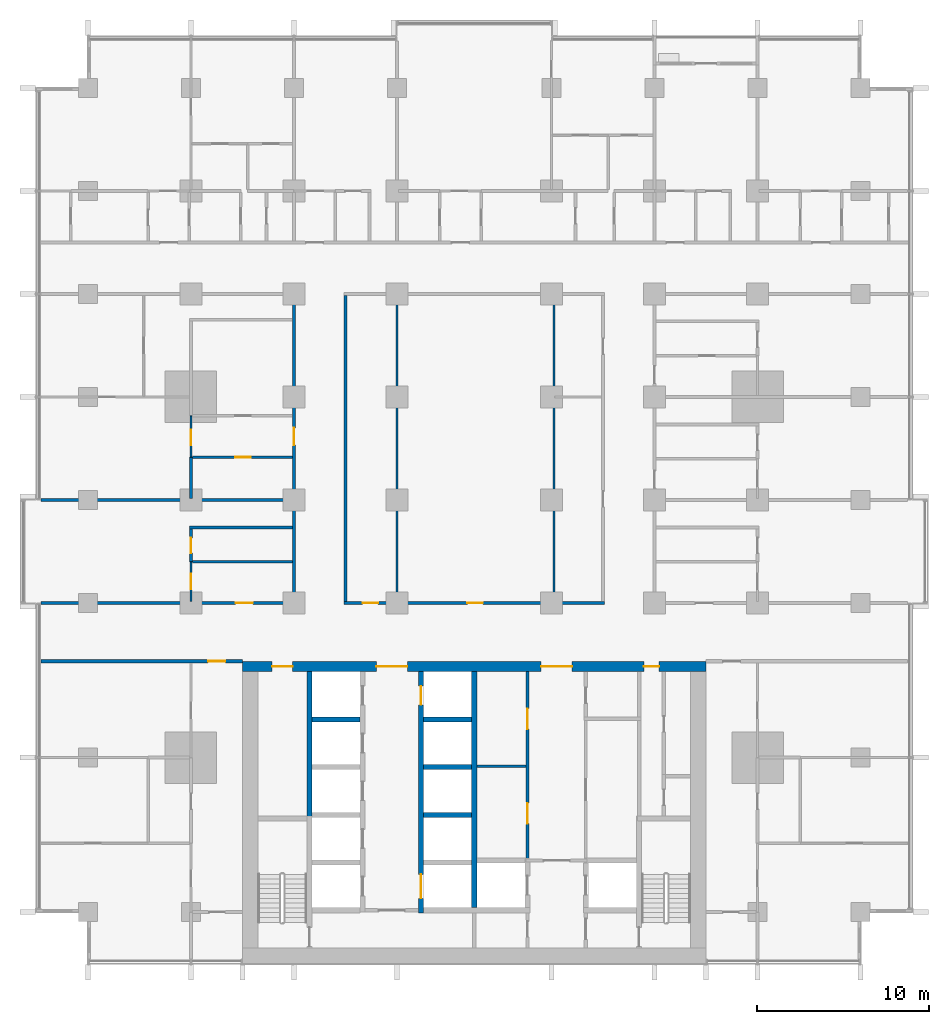
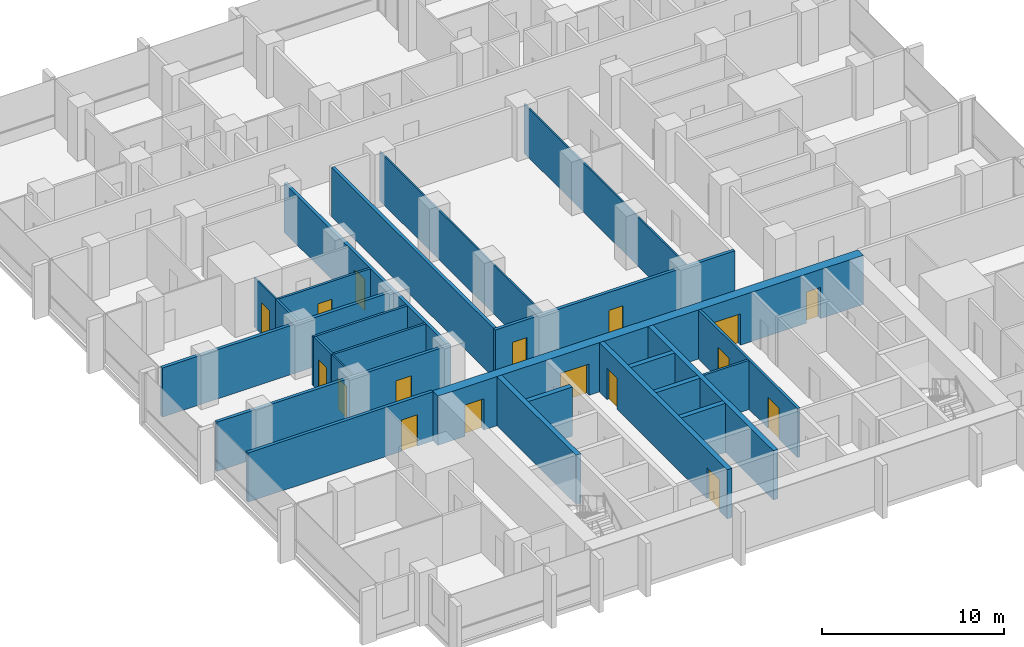
# One storey, part 8 of 18: 25 walls, 17 doors, 17 openings.
"""IFC4 building model written with IfcOpenShell, lengths in metres."""

import ifcopenshell
import ifcopenshell.guid

model = None  # the IFC model being written
_history = None  # IfcOwnerHistory: only IFC2X3 demands one
_inside = {}  # id of a spatial element -> (the spatial element, [elements in it])
_under = {}  # id of a project, library or spatial element -> (it, [spatial elements below it])
_declared = {}  # id of a project -> (the project, [libraries it declares])
_typed = {}  # id of a type object -> (the type object, [elements of that type])
_made_of = {}  # id of a material, layer set ... -> (it, [elements and type objects made of it])


def new_model(schema):
    """Start an empty IFC model of exactly this schema.

    Asked for "IFC4X3", IfcOpenShell would pick the latest addendum, in which some entities
    have other attributes; the version numbers below select the first issue.
    IFC2X3 requires an IfcOwnerHistory on every rooted entity: one is made here for all.
    """
    global model, _history
    if schema == "IFC4X3":
        model = ifcopenshell.file(schema_version=(4, 3, 0, 0))
    else:
        model = ifcopenshell.file(schema=schema)
    _inside.clear()
    _under.clear()
    _declared.clear()
    _typed.clear()
    _made_of.clear()
    _history = None
    if model.schema == "IFC2X3":
        org = make("IfcOrganization", Name="unknown")
        user = make(
            "IfcPersonAndOrganization",
            ThePerson=make("IfcPerson", FamilyName="unknown"),
            TheOrganization=org,
        )
        app = make(
            "IfcApplication",
            ApplicationDeveloper=org,
            Version="unknown",
            ApplicationFullName="unknown",
            ApplicationIdentifier="unknown",
        )
        _history = make(
            "IfcOwnerHistory",
            OwningUser=user,
            OwningApplication=app,
            ChangeAction="ADDED",
            CreationDate=0,
        )
    return model


def make(cls, **values):
    """One entity of the class cls with the attributes given. An attribute that is None is left unset."""
    return model.create_entity(
        cls, **{name: value for name, value in values.items() if value is not None}
    )


def rooted(cls, **values):
    """An entity with a GlobalId (a new one), such as an element, a storey or a relation."""
    return make(cls, GlobalId=ifcopenshell.guid.new(), OwnerHistory=_history, **values)


def si_unit(unit_type, name, prefix=None):
    """IfcSIUnit, for example si_unit("LENGTHUNIT", "METRE", prefix="MILLI")."""
    return make("IfcSIUnit", UnitType=unit_type, Prefix=prefix, Name=name)


def assignment(units):
    """IfcUnitAssignment: the units of a project."""
    return None if units is None else make("IfcUnitAssignment", Units=units)


def point(xyz):
    """IfcCartesianPoint."""
    return None if xyz is None else make("IfcCartesianPoint", Coordinates=xyz)


def direction(xyz):
    """IfcDirection."""
    return None if xyz is None else make("IfcDirection", DirectionRatios=xyz)


def frame(location, z_axis=None, x_axis=None):
    """IfcAxis2Placement3D, a coordinate frame: its origin and axes. An axis left out is left unset."""
    return make(
        "IfcAxis2Placement3D",
        Location=point(location),
        Axis=direction(z_axis),
        RefDirection=direction(x_axis),
    )


def frame_2d(location, x_axis=None):
    """IfcAxis2Placement2D, a coordinate frame in the plane: its origin and x axis."""
    return make(
        "IfcAxis2Placement2D", Location=point(location), RefDirection=direction(x_axis)
    )


def origin():
    """The frame at (0, 0, 0) with its axes left unset."""
    return frame((0.0, 0.0, 0.0))


def place(relative_to, where):
    """IfcLocalPlacement: puts the frame where relative to a parent placement (None: the world)."""
    return make(
        "IfcLocalPlacement", PlacementRelTo=relative_to, RelativePlacement=where
    )


def context(
    kind, dimensions, precision=None, world=None, true_north=None, identifier=None
):
    """IfcGeometricRepresentationContext, for example the 3D "Model" context."""
    return make(
        "IfcGeometricRepresentationContext",
        ContextIdentifier=identifier,
        ContextType=kind,
        CoordinateSpaceDimension=dimensions,
        Precision=precision,
        WorldCoordinateSystem=world,
        TrueNorth=true_north,
    )


def subcontext(parent, identifier, kind, view, scale=None):
    """IfcGeometricRepresentationSubContext, for example "Body" below "Model"."""
    return make(
        "IfcGeometricRepresentationSubContext",
        ContextIdentifier=identifier,
        ContextType=kind,
        ParentContext=parent,
        TargetScale=scale,
        TargetView=view,
    )


def project(units=None, contexts=None):
    """IfcProject with its units and contexts."""
    return rooted(
        "IfcProject",
        Name="project",
        RepresentationContexts=contexts,
        UnitsInContext=assignment(units),
    )


def spatial(cls, under=None, at=None, **own):
    """A site, building, storey or space (cls), placed at a placement, below another one or the project."""
    s = rooted(cls, ObjectPlacement=at, **own)
    if under is not None:
        _under.setdefault(under.id(), (under, []))[1].append(s)
    return s


def profile(cls, at=None, kind="AREA", **sizes):
    """A parametric profile (cls). Its sizes go by their IFC names, for example OverallWidth=200.0."""
    return make(cls, ProfileType=kind, Position=at, **sizes)


def rectangle(**sizes):
    """IfcRectangleProfileDef."""
    return profile("IfcRectangleProfileDef", **sizes)


def extrude(swept, where, along, depth):
    """IfcExtrudedAreaSolid: the profile swept, set in the frame where, extruded along a direction by depth."""
    return make(
        "IfcExtrudedAreaSolid",
        SweptArea=swept,
        Position=where,
        ExtrudedDirection=direction(along),
        Depth=depth,
    )


def shape(context_of_items, identifier, shape_type, items):
    """IfcShapeRepresentation: the items that make up one representation, for example the "Body"."""
    return make(
        "IfcShapeRepresentation",
        ContextOfItems=context_of_items,
        RepresentationIdentifier=identifier,
        RepresentationType=shape_type,
        Items=items,
    )


def material(Name=None, Category=None):
    """IfcMaterial."""
    return make("IfcMaterial", Name=Name, Category=Category)


def layer(
    of_material, thickness, ventilated=None, Name=None, Category=None, Priority=None
):
    """IfcMaterialLayer: one layer of a wall or slab, of a material (None: an air gap)."""
    return make(
        "IfcMaterialLayer",
        Material=of_material,
        LayerThickness=thickness,
        IsVentilated=ventilated,
        Name=Name,
        Category=Category,
        Priority=Priority,
    )


def layer_set(layers, Name=None):
    """IfcMaterialLayerSet."""
    return make("IfcMaterialLayerSet", MaterialLayers=layers, LayerSetName=Name)


def made_of(thing, what):
    """Note that an element or type object is made of a material, layer set ...; save() writes the relation."""
    if what is not None:
        _made_of.setdefault(what.id(), (what, []))[1].append(thing)
    return thing


def type_object(cls, material=None, **own):
    """A type object (cls), such as IfcWallType, which elements share."""
    return made_of(rooted(cls, **own), material)


def element(
    cls,
    number,
    at=None,
    inside=None,
    cuts=None,
    type_object=None,
    material=None,
    context=None,
    identifier="Body",
    shape_type=None,
    held_by="IfcProductDefinitionShape",
    body=None,
    shapes=None,
    **own,
):
    """One element of the class cls, such as IfcWall. Its Tag is "e" and its number.

    at: its placement. inside: the storey or other place that contains it. cuts: it is an
    opening in that element (IfcRelVoidsElement). A single representation is given by context,
    identifier, shape_type and body (its items); several are given by shapes. held_by: the class
    of the entity that holds the representations. save() writes the other relations.
    """
    e = rooted(cls, Tag="e%d" % number, ObjectPlacement=at, **own)
    if body is not None:
        shapes = [shape(context, identifier, shape_type, body)]
    if shapes is not None:
        e.Representation = make(held_by, Representations=shapes)
    if inside is not None:
        _inside.setdefault(inside.id(), (inside, []))[1].append(e)
    if cuts is not None:
        rooted(
            "IfcRelVoidsElement", RelatingBuildingElement=cuts, RelatedOpeningElement=e
        )
    if type_object is not None:
        _typed.setdefault(type_object.id(), (type_object, []))[1].append(e)
    return made_of(e, material)


def fill(opening, filler):
    """IfcRelFillsElement: the door or window that sits in an opening."""
    return rooted(
        "IfcRelFillsElement",
        RelatingOpeningElement=opening,
        RelatedBuildingElement=filler,
    )


def aggregate(whole, parts):
    """IfcRelAggregates: a whole, such as a stair, and the parts it consists of."""
    return rooted("IfcRelAggregates", RelatingObject=whole, RelatedObjects=parts)


def save(model, path):
    """Write the relations noted so far, then the file.

    IfcRelAggregates (storeys below a building ...), IfcRelContainedInSpatialStructure (elements
    in a storey), IfcRelDefinesByType, IfcRelAssociatesMaterial and IfcRelDeclares: one each for
    every whole, place, type object, material and project.
    """
    for whole, parts in _under.values():
        aggregate(whole, parts)
    for where, things in _inside.values():
        rooted(
            "IfcRelContainedInSpatialStructure",
            RelatedElements=things,
            RelatingStructure=where,
        )
    for kind, things in _typed.values():
        rooted("IfcRelDefinesByType", RelatedObjects=things, RelatingType=kind)
    for what, things in _made_of.values():
        rooted("IfcRelAssociatesMaterial", RelatedObjects=things, RelatingMaterial=what)
    for by, libraries in _declared.values():
        rooted("IfcRelDeclares", RelatingContext=by, RelatedDefinitions=libraries)
    model.write(path)


model = new_model("IFC4")

# Units and contexts
model_context = context("Model", 3, precision=1e-05, world=origin(), true_north=direction((0.0, 1.0)))
body_context = subcontext(model_context, "Body", "Model", "MODEL_VIEW")
ifc_project = project(units=[si_unit("LENGTHUNIT", "METRE"), si_unit("AREAUNIT", "SQUARE_METRE"), si_unit("VOLUMEUNIT", "CUBIC_METRE"), si_unit("PLANEANGLEUNIT", "RADIAN"), si_unit("MASSUNIT", "GRAM", prefix="KILO")], contexts=[model_context])

# Site, building, storey
site_placement = place(None, origin())
site = spatial("IfcSite", under=ifc_project, at=site_placement, CompositionType="ELEMENT")
building_placement = place(site_placement, origin())
building = spatial("IfcBuilding", under=site, at=building_placement, Name="Finial Court Residences", CompositionType="ELEMENT")
storey_placement = place(building_placement, frame((0.0, 0.0, 57.699951171875)))
storey = spatial("IfcBuildingStorey", under=building, at=storey_placement, Name="L13", CompositionType="ELEMENT", Elevation=57.699951171875)

# Wall
ifc_material_1 = material(Name="Gypsum board")
ifc_layer_1 = layer(ifc_material_1, 0.02490234375)
ifc_material_2 = material(Name="Acoustic mineral wool in double frame")
ifc_layer_2 = layer(ifc_material_2, 0.14990234375)
ifc_layer_3 = layer(ifc_material_1, 0.02490234375)
ifc_layer_set_1 = layer_set([ifc_layer_1, ifc_layer_2, ifc_layer_3], Name="Acoustic party wall 200, 1 hour")
wall_type_1 = type_object("IfcWallType", Name="Acoustic party wall 200, 1 hour", PredefinedType="PARTITIONING", material=ifc_layer_set_1)
wall_1_placement = place(storey_placement, frame((-25.25, 1.5, 0.0), z_axis=(0.0, 0.0, 1.0), x_axis=(1.0, 0.0, 0.0)))
element("IfcWall", 1, at=wall_1_placement, inside=storey, type_object=wall_type_1, Name="Partition L13-019", PredefinedType="PARTITIONING", context=body_context, shape_type="SweptSolid", body=[
    extrude(rectangle(XDim=14.64990234375, YDim=0.199951171875, at=frame_2d((7.324951171875, 0.0))), origin(), (0.0, 0.0, 1.0), 3.300048828125),
])

# Wall, openings, doors
ifc_material_3 = material(Name="Concrete C80/95", Category="concrete")
ifc_layer_4 = layer(ifc_material_3, 0.60009765625)
ifc_layer_set_2 = layer_set([ifc_layer_4], Name="Core outer wall 600 Concrete C80/95")
wall_type_2 = type_object("IfcWallType", Name="Core outer wall 600 Concrete C80/95", PredefinedType="SHEAR", material=ifc_layer_set_2)
wall_2_placement = place(storey_placement, frame((-13.5, -8.199951171875, 0.0), z_axis=(0.0, 0.0, 1.0), x_axis=(1.0, 0.0, 0.0)))
wall_2 = element("IfcWall", 2, at=wall_2_placement, inside=storey, type_object=wall_type_2, Name="Core outer wall L13-02", PredefinedType="SHEAR", context=body_context, shape_type="SweptSolid", body=[
    extrude(rectangle(XDim=27.0, YDim=0.60009765625, at=frame_2d((13.5, 0.0))), origin(), (0.0, 0.0, 1.0), 3.300048828125),
])
opening_1_placement = place(wall_2_placement, frame((7.800048828125, 0.0, 0.0)))
opening_1 = element("IfcOpeningElement", 3, at=opening_1_placement, cuts=wall_2, Name="Opening L13-C04", PredefinedType="OPENING", context=body_context, shape_type="SweptSolid", body=[
    extrude(rectangle(XDim=1.800048828125, YDim=2.10009765625, at=frame_2d((0.89990234375, 1.050048828125))), frame((0.0, 0.31005859375, 0.0), z_axis=(0.0, -1.0, 0.0), x_axis=(1.0, 0.0, 0.0)), (0.0, 0.0, 1.0), 0.6201171875),
])
opening_2_placement = place(wall_2_placement, frame((17.39990234375, 0.0, 0.0)))
opening_2 = element("IfcOpeningElement", 4, at=opening_2_placement, cuts=wall_2, Name="Opening L13-C05", PredefinedType="OPENING", context=body_context, shape_type="SweptSolid", body=[
    extrude(rectangle(XDim=1.800048828125, YDim=2.10009765625, at=frame_2d((0.89990234375, 1.050048828125))), frame((0.0, 0.31005859375, 0.0), z_axis=(0.0, -1.0, 0.0), x_axis=(1.0, 0.0, 0.0)), (0.0, 0.0, 1.0), 0.6201171875),
])
opening_3_placement = place(wall_2_placement, frame((1.72509765625, 0.0, 0.0)))
opening_3 = element("IfcOpeningElement", 5, at=opening_3_placement, cuts=wall_2, Name="Opening L13-C09", PredefinedType="OPENING", context=body_context, shape_type="SweptSolid", body=[
    extrude(rectangle(XDim=1.199951171875, YDim=2.10009765625, at=frame_2d((0.60009765625, 1.050048828125))), frame((0.0, 0.31005859375, 0.0), z_axis=(0.0, -1.0, 0.0), x_axis=(1.0, 0.0, 0.0)), (0.0, 0.0, 1.0), 0.6201171875),
])
opening_4_placement = place(wall_2_placement, frame((23.375, 0.0, 0.0)))
opening_4 = element("IfcOpeningElement", 6, at=opening_4_placement, cuts=wall_2, Name="Opening L13-C10", PredefinedType="OPENING", context=body_context, shape_type="SweptSolid", body=[
    extrude(rectangle(XDim=0.89990234375, YDim=2.10009765625, at=frame_2d((0.449951171875, 1.050048828125))), frame((0.0, 0.31005859375, 0.0), z_axis=(0.0, -1.0, 0.0), x_axis=(1.0, 0.0, 0.0)), (0.0, 0.0, 1.0), 0.6201171875),
])
ifc_material_4 = material(Name="Steel fire door", Category="steel")
door_type_1 = type_object("IfcDoorType", Name="Lift lobby door 1800 x 2100 EI 60", OperationType="DOUBLE_DOOR_SINGLE_SWING", PredefinedType="DOOR", material=ifc_material_4)
door_1_placement = place(opening_1_placement, origin())
door_1 = element("IfcDoor", 7, at=door_1_placement, inside=storey, type_object=door_type_1, Name="Lift lobby door L13-C04", OperationType="DOUBLE_DOOR_SINGLE_SWING", OverallHeight=2.10009765625, OverallWidth=1.800048828125, PredefinedType="DOOR", context=body_context, shape_type="SweptSolid", body=[
    extrude(rectangle(XDim=1.800048828125, YDim=2.10009765625, at=frame_2d((0.89990234375, 1.050048828125))), frame((0.0, 0.02490234375, 0.0), z_axis=(0.0, -1.0, 0.0), x_axis=(1.0, 0.0, 0.0)), (0.0, 0.0, 1.0), 0.050048828125),
])
fill(opening_1, door_1)
door_2_placement = place(opening_2_placement, origin())
door_2 = element("IfcDoor", 8, at=door_2_placement, inside=storey, type_object=door_type_1, Name="Lift lobby door L13-C05", OperationType="DOUBLE_DOOR_SINGLE_SWING", OverallHeight=2.10009765625, OverallWidth=1.800048828125, PredefinedType="DOOR", context=body_context, shape_type="SweptSolid", body=[
    extrude(rectangle(XDim=1.800048828125, YDim=2.10009765625, at=frame_2d((0.89990234375, 1.050048828125))), frame((0.0, 0.02490234375, 0.0), z_axis=(0.0, -1.0, 0.0), x_axis=(1.0, 0.0, 0.0)), (0.0, 0.0, 1.0), 0.050048828125),
])
fill(opening_2, door_2)
door_type_2 = type_object("IfcDoorType", Name="Riser room door 1200 x 2100 EI 90", OperationType="NOTDEFINED", PredefinedType="DOOR", material=ifc_material_4)
door_3_placement = place(opening_3_placement, origin())
door_3 = element("IfcDoor", 9, at=door_3_placement, inside=storey, type_object=door_type_2, Name="Riser room door L13-C09", OperationType="SINGLE_SWING_LEFT", OverallHeight=2.10009765625, OverallWidth=1.199951171875, PredefinedType="DOOR", context=body_context, shape_type="SweptSolid", body=[
    extrude(rectangle(XDim=1.199951171875, YDim=2.10009765625, at=frame_2d((0.60009765625, 1.050048828125))), frame((0.0, 0.02490234375, 0.0), z_axis=(0.0, -1.0, 0.0), x_axis=(1.0, 0.0, 0.0)), (0.0, 0.0, 1.0), 0.050048828125),
])
fill(opening_3, door_3)
door_type_3 = type_object("IfcDoorType", Name="Riser room door 900 x 2100 EI 90", OperationType="NOTDEFINED", PredefinedType="DOOR", material=ifc_material_4)
door_4_placement = place(opening_4_placement, origin())
door_4 = element("IfcDoor", 10, at=door_4_placement, inside=storey, type_object=door_type_3, Name="Riser room door L13-C10", OperationType="SINGLE_SWING_LEFT", OverallHeight=2.10009765625, OverallWidth=0.89990234375, PredefinedType="DOOR", context=body_context, shape_type="SweptSolid", body=[
    extrude(rectangle(XDim=0.89990234375, YDim=2.10009765625, at=frame_2d((0.449951171875, 1.050048828125))), frame((0.0, 0.02490234375, 0.0), z_axis=(0.0, -1.0, 0.0), x_axis=(1.0, 0.0, 0.0)), (0.0, 0.0, 1.0), 0.050048828125),
])
fill(opening_4, door_4)

# Wall
ifc_material_5 = material(Name="Fire-rated gypsum board partition")
ifc_layer_5 = layer(ifc_material_5, 0.14990234375)
ifc_layer_set_3 = layer_set([ifc_layer_5], Name="Core room partition 150 EI 60")
wall_type_3 = type_object("IfcWallType", Name="Core room partition 150 EI 60", PredefinedType="PARTITIONING", material=ifc_layer_set_3)
wall_3_placement = place(storey_placement, frame((0.14990234375, -14.0, 0.0), z_axis=(0.0, 0.0, 1.0), x_axis=(1.0, 0.0, 0.0)))
element("IfcWall", 11, at=wall_3_placement, inside=storey, type_object=wall_type_3, Name="Core partition L13-17", PredefinedType="PARTITIONING", context=body_context, shape_type="SweptSolid", body=[
    extrude(rectangle(XDim=2.875, YDim=0.14990234375, at=frame_2d((1.4375, 0.0))), origin(), (0.0, 0.0, 1.0), 3.300048828125),
])

# Wall, openings, doors
wall_4_placement = place(storey_placement, frame((3.10009765625, -19.39990234375, 0.0), z_axis=(0.0, 0.0, 1.0), x_axis=(0.0, 1.0, 0.0)))
wall_4 = element("IfcWall", 12, at=wall_4_placement, inside=storey, type_object=wall_type_3, Name="Core partition L13-29", PredefinedType="PARTITIONING", context=body_context, shape_type="SweptSolid", body=[
    extrude(rectangle(XDim=10.89990234375, YDim=0.14990234375, at=frame_2d((5.449951171875, 0.0))), origin(), (0.0, 0.0, 1.0), 3.300048828125),
])
opening_5_placement = place(wall_4_placement, frame((2.050048828125, 0.0, 0.0)))
opening_5 = element("IfcOpeningElement", 13, at=opening_5_placement, cuts=wall_4, Name="Opening L13-C12", PredefinedType="OPENING", context=body_context, shape_type="SweptSolid", body=[
    extrude(rectangle(XDim=1.199951171875, YDim=2.10009765625, at=frame_2d((0.60009765625, 1.050048828125))), frame((0.0, 0.0849609375, 0.0), z_axis=(0.0, -1.0, 0.0), x_axis=(1.0, 0.0, 0.0)), (0.0, 0.0, 1.0), 0.169921875),
])
opening_6_placement = place(wall_4_placement, frame((7.550048828125, 0.0, 0.0)))
opening_6 = element("IfcOpeningElement", 14, at=opening_6_placement, cuts=wall_4, Name="Opening L13-C13", PredefinedType="OPENING", context=body_context, shape_type="SweptSolid", body=[
    extrude(rectangle(XDim=1.199951171875, YDim=2.10009765625, at=frame_2d((0.60009765625, 1.050048828125))), frame((0.0, 0.0849609375, 0.0), z_axis=(0.0, -1.0, 0.0), x_axis=(1.0, 0.0, 0.0)), (0.0, 0.0, 1.0), 0.169921875),
])
door_type_4 = type_object("IfcDoorType", Name="Core room door 1200 x 2100 EI 60", OperationType="NOTDEFINED", PredefinedType="DOOR", material=ifc_material_4)
door_5_placement = place(opening_5_placement, origin())
door_5 = element("IfcDoor", 15, at=door_5_placement, inside=storey, type_object=door_type_4, Name="Core room door L13-C12", OperationType="SINGLE_SWING_LEFT", OverallHeight=2.10009765625, OverallWidth=1.199951171875, PredefinedType="DOOR", context=body_context, shape_type="SweptSolid", body=[
    extrude(rectangle(XDim=1.199951171875, YDim=2.10009765625, at=frame_2d((0.60009765625, 1.050048828125))), frame((0.0, 0.02490234375, 0.0), z_axis=(0.0, -1.0, 0.0), x_axis=(1.0, 0.0, 0.0)), (0.0, 0.0, 1.0), 0.050048828125),
])
fill(opening_5, door_5)
door_6_placement = place(opening_6_placement, origin())
door_6 = element("IfcDoor", 16, at=door_6_placement, inside=storey, type_object=door_type_4, Name="Core room door L13-C13", OperationType="SINGLE_SWING_LEFT", OverallHeight=2.10009765625, OverallWidth=1.199951171875, PredefinedType="DOOR", context=body_context, shape_type="SweptSolid", body=[
    extrude(rectangle(XDim=1.199951171875, YDim=2.10009765625, at=frame_2d((0.60009765625, 1.050048828125))), frame((0.0, 0.02490234375, 0.0), z_axis=(0.0, -1.0, 0.0), x_axis=(1.0, 0.0, 0.0)), (0.0, 0.0, 1.0), 0.050048828125),
])
fill(opening_6, door_6)

# Wall, opening, door
ifc_layer_6 = layer(ifc_material_1, 0.02490234375)
ifc_layer_7 = layer(ifc_material_2, 0.14990234375)
ifc_layer_8 = layer(ifc_material_1, 0.02490234375)
ifc_layer_set_4 = layer_set([ifc_layer_6, ifc_layer_7, ifc_layer_8], Name="Corridor wall 200, 1 hour")
wall_type_4 = type_object("IfcWallType", Name="Corridor wall 200, 1 hour", PredefinedType="PARTITIONING", material=ifc_layer_set_4)
wall_5_placement = place(storey_placement, frame((-25.25, -7.89990234375, 0.0), z_axis=(0.0, 0.0, 1.0), x_axis=(1.0, 0.0, 0.0)))
wall_5 = element("IfcWall", 17, at=wall_5_placement, inside=storey, type_object=wall_type_4, Name="Partition L13-010", PredefinedType="PARTITIONING", context=body_context, shape_type="SweptSolid", body=[
    extrude(rectangle(XDim=11.75, YDim=0.199951171875, at=frame_2d((5.875, 0.0))), origin(), (0.0, 0.0, 1.0), 3.300048828125),
])
opening_7_placement = place(wall_5_placement, frame((9.75, 0.0, 0.0)))
opening_7 = element("IfcOpeningElement", 18, at=opening_7_placement, cuts=wall_5, Name="Opening L13-D005", PredefinedType="OPENING", context=body_context, shape_type="SweptSolid", body=[
    extrude(rectangle(XDim=1.0, YDim=2.10009765625, at=frame_2d((0.5, 1.050048828125))), frame((0.0, 0.10986328125, 0.0), z_axis=(0.0, -1.0, 0.0), x_axis=(1.0, 0.0, 0.0)), (0.0, 0.0, 1.0), 0.219970703125),
])
ifc_material_6 = material(Name="Timber door leaf in hollow metal frame", Category="wood")
door_type_5 = type_object("IfcDoorType", Name="Fire door set 1000 x 2100, 30 minutes", OperationType="SINGLE_SWING_LEFT", PredefinedType="DOOR", material=ifc_material_6)
door_7_placement = place(opening_7_placement, origin())
door_7 = element("IfcDoor", 19, at=door_7_placement, inside=storey, type_object=door_type_5, Name="Door L13-D005", OperationType="SINGLE_SWING_RIGHT", OverallHeight=2.10009765625, OverallWidth=1.0, PredefinedType="DOOR", context=body_context, shape_type="SweptSolid", body=[
    extrude(rectangle(XDim=1.0, YDim=2.10009765625, at=frame_2d((0.5, 1.050048828125))), frame((0.0, 0.02490234375, 0.0), z_axis=(0.0, -1.0, 0.0), x_axis=(1.0, 0.0, 0.0)), (0.0, 0.0, 1.0), 0.050048828125),
])
fill(opening_7, door_7)

wall_6_placement = place(storey_placement, frame((-25.25, -4.5, 0.0), z_axis=(0.0, 0.0, 1.0), x_axis=(1.0, 0.0, 0.0)))
wall_6 = element("IfcWall", 20, at=wall_6_placement, inside=storey, type_object=wall_type_4, Name="Partition L13-012", PredefinedType="PARTITIONING", context=body_context, shape_type="SweptSolid", body=[
    extrude(rectangle(XDim=14.85009765625, YDim=0.199951171875, at=frame_2d((7.425048828125, 0.0))), origin(), (0.0, 0.0, 1.0), 3.300048828125),
])
opening_8_placement = place(wall_6_placement, frame((11.35009765625, 0.0, 0.0)))
opening_8 = element("IfcOpeningElement", 21, at=opening_8_placement, cuts=wall_6, Name="Opening L13-D007", PredefinedType="OPENING", context=body_context, shape_type="SweptSolid", body=[
    extrude(rectangle(XDim=1.0, YDim=2.10009765625, at=frame_2d((0.5, 1.050048828125))), frame((0.0, 0.10986328125, 0.0), z_axis=(0.0, -1.0, 0.0), x_axis=(1.0, 0.0, 0.0)), (0.0, 0.0, 1.0), 0.219970703125),
])
door_8_placement = place(opening_8_placement, origin())
door_8 = element("IfcDoor", 22, at=door_8_placement, inside=storey, type_object=door_type_5, Name="Door L13-D007", OperationType="SINGLE_SWING_LEFT", OverallHeight=2.10009765625, OverallWidth=1.0, PredefinedType="DOOR", context=body_context, shape_type="SweptSolid", body=[
    extrude(rectangle(XDim=1.0, YDim=2.10009765625, at=frame_2d((0.5, 1.050048828125))), frame((0.0, 0.02490234375, 0.0), z_axis=(0.0, -1.0, 0.0), x_axis=(1.0, 0.0, 0.0)), (0.0, 0.0, 1.0), 0.050048828125),
])
fill(opening_8, door_8)

# Wall, openings, doors
wall_7_placement = place(storey_placement, frame((-7.60009765625, -4.5, 0.0), z_axis=(0.0, 0.0, 1.0), x_axis=(1.0, 0.0, 0.0)))
wall_7 = element("IfcWall", 23, at=wall_7_placement, inside=storey, type_object=wall_type_4, Name="Partition L13-013", PredefinedType="PARTITIONING", context=body_context, shape_type="SweptSolid", body=[
    extrude(rectangle(XDim=15.2001953125, YDim=0.199951171875, at=frame_2d((7.60009765625, 0.0))), origin(), (0.0, 0.0, 1.0), 3.300048828125),
])
opening_9_placement = place(wall_7_placement, frame((1.10009765625, 0.0, 0.0)))
opening_9 = element("IfcOpeningElement", 24, at=opening_9_placement, cuts=wall_7, Name="Opening L13-D008", PredefinedType="OPENING", context=body_context, shape_type="SweptSolid", body=[
    extrude(rectangle(XDim=0.89990234375, YDim=2.10009765625, at=frame_2d((0.449951171875, 1.050048828125))), frame((0.0, 0.10986328125, 0.0), z_axis=(0.0, -1.0, 0.0), x_axis=(1.0, 0.0, 0.0)), (0.0, 0.0, 1.0), 0.219970703125),
])
opening_10_placement = place(wall_7_placement, frame((7.199951171875, 0.0, 0.0)))
opening_10 = element("IfcOpeningElement", 25, at=opening_10_placement, cuts=wall_7, Name="Opening L13-D009", PredefinedType="OPENING", context=body_context, shape_type="SweptSolid", body=[
    extrude(rectangle(XDim=0.89990234375, YDim=2.10009765625, at=frame_2d((0.449951171875, 1.050048828125))), frame((0.0, 0.10986328125, 0.0), z_axis=(0.0, -1.0, 0.0), x_axis=(1.0, 0.0, 0.0)), (0.0, 0.0, 1.0), 0.219970703125),
])
door_type_6 = type_object("IfcDoorType", Name="Fire door set 900 x 2100, 30 minutes", OperationType="SINGLE_SWING_LEFT", PredefinedType="DOOR", material=ifc_material_6)
door_9_placement = place(opening_9_placement, origin())
door_9 = element("IfcDoor", 26, at=door_9_placement, inside=storey, type_object=door_type_6, Name="Door L13-D008", OperationType="SINGLE_SWING_RIGHT", OverallHeight=2.10009765625, OverallWidth=0.89990234375, PredefinedType="DOOR", context=body_context, shape_type="SweptSolid", body=[
    extrude(rectangle(XDim=0.89990234375, YDim=2.10009765625, at=frame_2d((0.449951171875, 1.050048828125))), frame((0.0, 0.02490234375, 0.0), z_axis=(0.0, -1.0, 0.0), x_axis=(1.0, 0.0, 0.0)), (0.0, 0.0, 1.0), 0.050048828125),
])
fill(opening_9, door_9)
door_10_placement = place(opening_10_placement, origin())
door_10 = element("IfcDoor", 27, at=door_10_placement, inside=storey, type_object=door_type_6, Name="Door L13-D009", OperationType="SINGLE_SWING_RIGHT", OverallHeight=2.10009765625, OverallWidth=0.89990234375, PredefinedType="DOOR", context=body_context, shape_type="SweptSolid", body=[
    extrude(rectangle(XDim=0.89990234375, YDim=2.10009765625, at=frame_2d((0.449951171875, 1.050048828125))), frame((0.0, 0.02490234375, 0.0), z_axis=(0.0, -1.0, 0.0), x_axis=(1.0, 0.0, 0.0)), (0.0, 0.0, 1.0), 0.050048828125),
])
fill(opening_10, door_10)

# Wall, opening, door
wall_8_placement = place(storey_placement, frame((-10.5, -4.39990234375, 0.0), z_axis=(0.0, 0.0, 1.0), x_axis=(0.0, 1.0, 0.0)))
wall_8 = element("IfcWall", 28, at=wall_8_placement, inside=storey, type_object=wall_type_4, Name="Partition L13-073", PredefinedType="PARTITIONING", context=body_context, shape_type="SweptSolid", body=[
    extrude(rectangle(XDim=17.7998046875, YDim=0.199951171875, at=frame_2d((8.89990234375, 0.0))), origin(), (0.0, 0.0, 1.0), 3.300048828125),
])
opening_11_placement = place(wall_8_placement, frame((9.10009765625, 0.0, 0.0)))
opening_11 = element("IfcOpeningElement", 29, at=opening_11_placement, cuts=wall_8, Name="Opening L13-D044", PredefinedType="OPENING", context=body_context, shape_type="SweptSolid", body=[
    extrude(rectangle(XDim=1.0, YDim=2.10009765625, at=frame_2d((0.5, 1.050048828125))), frame((0.0, 0.10986328125, 0.0), z_axis=(0.0, -1.0, 0.0), x_axis=(1.0, 0.0, 0.0)), (0.0, 0.0, 1.0), 0.219970703125),
])
door_11_placement = place(opening_11_placement, origin())
door_11 = element("IfcDoor", 30, at=door_11_placement, inside=storey, type_object=door_type_5, Name="Door L13-D044", OperationType="SINGLE_SWING_LEFT", OverallHeight=2.10009765625, OverallWidth=1.0, PredefinedType="DOOR", context=body_context, shape_type="SweptSolid", body=[
    extrude(rectangle(XDim=1.0, YDim=2.10009765625, at=frame_2d((0.5, 1.050048828125))), frame((0.0, 0.02490234375, 0.0), z_axis=(0.0, -1.0, 0.0), x_axis=(1.0, 0.0, 0.0)), (0.0, 0.0, 1.0), 0.050048828125),
])
fill(opening_11, door_11)

# Wall
wall_9_placement = place(storey_placement, frame((-7.5, -4.39990234375, 0.0), z_axis=(0.0, 0.0, 1.0), x_axis=(0.0, 1.0, 0.0)))
element("IfcWall", 31, at=wall_9_placement, inside=storey, type_object=wall_type_4, Name="Partition L13-077", PredefinedType="PARTITIONING", context=body_context, shape_type="SweptSolid", body=[
    extrude(rectangle(XDim=17.7998046875, YDim=0.199951171875, at=frame_2d((8.89990234375, 0.0))), origin(), (0.0, 0.0, 1.0), 3.300048828125),
])

# Wall, opening, door
ifc_layer_9 = layer(ifc_material_1, 0.012451171875)
ifc_material_7 = material(Name="Mineral wool in light-gauge frame")
ifc_layer_10 = layer(ifc_material_7, 0.074951171875)
ifc_layer_11 = layer(ifc_material_1, 0.012451171875)
ifc_layer_set_5 = layer_set([ifc_layer_9, ifc_layer_10, ifc_layer_11], Name="Gypsum board partition 100")
wall_type_5 = type_object("IfcWallType", Name="Gypsum board partition 100", PredefinedType="PARTITIONING", material=ifc_layer_set_5)
wall_10_placement = place(storey_placement, frame((-16.5, -4.39990234375, 0.0), z_axis=(0.0, 0.0, 1.0), x_axis=(0.0, 1.0, 0.0)))
wall_10 = element("IfcWall", 32, at=wall_10_placement, inside=storey, type_object=wall_type_5, Name="Partition L13-062", PredefinedType="PARTITIONING", context=body_context, shape_type="SweptSolid", body=[
    extrude(rectangle(XDim=2.2998046875, YDim=0.10009765625, at=frame_2d((1.14990234375, 0.0))), origin(), (0.0, 0.0, 1.0), 3.300048828125),
])
opening_12_placement = place(wall_10_placement, frame((0.699951171875, 0.0, 0.0)))
opening_12 = element("IfcOpeningElement", 33, at=opening_12_placement, cuts=wall_10, Name="Opening L13-D037", PredefinedType="OPENING", context=body_context, shape_type="SweptSolid", body=[
    extrude(rectangle(XDim=0.89990234375, YDim=2.10009765625, at=frame_2d((0.449951171875, 1.050048828125))), frame((0.0, 0.06005859375, 0.0), z_axis=(0.0, -1.0, 0.0), x_axis=(1.0, 0.0, 0.0)), (0.0, 0.0, 1.0), 0.1201171875),
])
ifc_material_8 = material(Name="Timber door leaf in timber frame", Category="wood")
door_type_7 = type_object("IfcDoorType", Name="Door set 900 x 2100", OperationType="SINGLE_SWING_LEFT", PredefinedType="DOOR", material=ifc_material_8)
door_12_placement = place(opening_12_placement, origin())
door_12 = element("IfcDoor", 34, at=door_12_placement, inside=storey, type_object=door_type_7, Name="Door L13-D037", OperationType="SINGLE_SWING_RIGHT", OverallHeight=2.10009765625, OverallWidth=0.89990234375, PredefinedType="DOOR", context=body_context, shape_type="SweptSolid", body=[
    extrude(rectangle(XDim=0.89990234375, YDim=2.10009765625, at=frame_2d((0.449951171875, 1.050048828125))), frame((0.0, 0.02490234375, 0.0), z_axis=(0.0, -1.0, 0.0), x_axis=(1.0, 0.0, 0.0)), (0.0, 0.0, 1.0), 0.050048828125),
])
fill(opening_12, door_12)

wall_11_placement = place(storey_placement, frame((-16.5, 4.0, 0.0), z_axis=(0.0, 0.0, 1.0), x_axis=(0.0, 1.0, 0.0)))
wall_11 = element("IfcWall", 35, at=wall_11_placement, inside=storey, type_object=wall_type_5, Name="Partition L13-063", PredefinedType="PARTITIONING", context=body_context, shape_type="SweptSolid", body=[
    extrude(rectangle(XDim=2.39990234375, YDim=0.10009765625, at=frame_2d((1.199951171875, 0.0))), origin(), (0.0, 0.0, 1.0), 3.300048828125),
])
opening_13_placement = place(wall_11_placement, frame((0.699951171875, 0.0, 0.0)))
opening_13 = element("IfcOpeningElement", 36, at=opening_13_placement, cuts=wall_11, Name="Opening L13-D038", PredefinedType="OPENING", context=body_context, shape_type="SweptSolid", body=[
    extrude(rectangle(XDim=0.89990234375, YDim=2.10009765625, at=frame_2d((0.449951171875, 1.050048828125))), frame((0.0, 0.06005859375, 0.0), z_axis=(0.0, -1.0, 0.0), x_axis=(1.0, 0.0, 0.0)), (0.0, 0.0, 1.0), 0.1201171875),
])
door_13_placement = place(opening_13_placement, origin())
door_13 = element("IfcDoor", 37, at=door_13_placement, inside=storey, type_object=door_type_7, Name="Door L13-D038", OperationType="SINGLE_SWING_LEFT", OverallHeight=2.10009765625, OverallWidth=0.89990234375, PredefinedType="DOOR", context=body_context, shape_type="SweptSolid", body=[
    extrude(rectangle(XDim=0.89990234375, YDim=2.10009765625, at=frame_2d((0.449951171875, 1.050048828125))), frame((0.0, 0.02490234375, 0.0), z_axis=(0.0, -1.0, 0.0), x_axis=(1.0, 0.0, 0.0)), (0.0, 0.0, 1.0), 0.050048828125),
])
fill(opening_13, door_13)

# Walls
for number, where, z_axis, x_axis, name in (
    (38, (-4.5, -4.39990234375, 0.0), (0.0, 0.0, 1.0), (0.0, 1.0, 0.0), "Partition L13-079"),
    (39, (4.64990234375, -4.39990234375, 0.0), (0.0, 0.0, 1.0), (0.0, 1.0, 0.0), "Partition L13-084"),
):
    element("IfcWall", number, at=place(storey_placement, frame(where, z_axis=z_axis, x_axis=x_axis)), inside=storey, type_object=wall_type_5, Name=name, PredefinedType="PARTITIONING", context=body_context, shape_type="SweptSolid", body=[
        extrude(rectangle(XDim=17.7998046875, YDim=0.10009765625, at=frame_2d((8.89990234375, 0.0))), origin(), (0.0, 0.0, 1.0), 3.300048828125),
    ])
ifc_material_9 = material(Name="Moisture-resistant gypsum board")
ifc_layer_12 = layer(ifc_material_9, 0.012451171875)
ifc_layer_13 = layer(ifc_material_7, 0.125)
ifc_layer_14 = layer(ifc_material_9, 0.012451171875)
ifc_layer_set_6 = layer_set([ifc_layer_12, ifc_layer_13, ifc_layer_14], Name="Gypsum board wet-area partition 150")
wall_type_6 = type_object("IfcWallType", Name="Gypsum board wet-area partition 150", PredefinedType="PARTITIONING", material=ifc_layer_set_6)
wall_12_placement = place(storey_placement, frame((-16.425048828125, -2.10009765625, 0.0), z_axis=(0.0, 0.0, 1.0), x_axis=(1.0, 0.0, 0.0)))
element("IfcWall", 40, at=wall_12_placement, inside=storey, type_object=wall_type_6, Name="Partition L13-015", PredefinedType="PARTITIONING", context=body_context, shape_type="SweptSolid", body=[
    extrude(rectangle(XDim=5.824951171875, YDim=0.14990234375, at=frame_2d((2.91259765625, 0.0))), origin(), (0.0, 0.0, 1.0), 3.300048828125),
])
wall_13_placement = place(storey_placement, frame((-16.574951171875, -0.10009765625, 0.0), z_axis=(0.0, 0.0, 1.0), x_axis=(1.0, 0.0, 0.0)))
element("IfcWall", 41, at=wall_13_placement, inside=storey, type_object=wall_type_6, Name="Partition L13-017", PredefinedType="PARTITIONING", context=body_context, shape_type="SweptSolid", body=[
    extrude(rectangle(XDim=5.974853515625, YDim=0.14990234375, at=frame_2d((2.9873046875, 0.0))), origin(), (0.0, 0.0, 1.0), 3.300048828125),
])

# Wall, opening, door
wall_14_placement = place(storey_placement, frame((-16.425048828125, 4.0, 0.0), z_axis=(0.0, 0.0, 1.0), x_axis=(1.0, 0.0, 0.0)))
wall_14 = element("IfcWall", 42, at=wall_14_placement, inside=storey, type_object=wall_type_6, Name="Partition L13-022", PredefinedType="PARTITIONING", context=body_context, shape_type="SweptSolid", body=[
    extrude(rectangle(XDim=5.824951171875, YDim=0.14990234375, at=frame_2d((2.91259765625, 0.0))), origin(), (0.0, 0.0, 1.0), 3.300048828125),
])
opening_14_placement = place(wall_14_placement, frame((2.5, 0.0, 0.0)))
opening_14 = element("IfcOpeningElement", 43, at=opening_14_placement, cuts=wall_14, Name="Opening L13-D011", PredefinedType="OPENING", context=body_context, shape_type="SweptSolid", body=[
    extrude(rectangle(XDim=0.89990234375, YDim=2.10009765625, at=frame_2d((0.449951171875, 1.050048828125))), frame((0.0, 0.0849609375, 0.0), z_axis=(0.0, -1.0, 0.0), x_axis=(1.0, 0.0, 0.0)), (0.0, 0.0, 1.0), 0.169921875),
])
door_14_placement = place(opening_14_placement, origin())
door_14 = element("IfcDoor", 44, at=door_14_placement, inside=storey, type_object=door_type_7, Name="Door L13-D011", OperationType="SINGLE_SWING_RIGHT", OverallHeight=2.10009765625, OverallWidth=0.89990234375, PredefinedType="DOOR", context=body_context, shape_type="SweptSolid", body=[
    extrude(rectangle(XDim=0.89990234375, YDim=2.10009765625, at=frame_2d((0.449951171875, 1.050048828125))), frame((0.0, 0.02490234375, 0.0), z_axis=(0.0, -1.0, 0.0), x_axis=(1.0, 0.0, 0.0)), (0.0, 0.0, 1.0), 0.050048828125),
])
fill(opening_14, door_14)

wall_15_placement = place(storey_placement, frame((-16.5, -2.10009765625, 0.0), z_axis=(0.0, 0.0, 1.0), x_axis=(0.0, 1.0, 0.0)))
wall_15 = element("IfcWall", 45, at=wall_15_placement, inside=storey, type_object=wall_type_6, Name="Partition L13-067", PredefinedType="PARTITIONING", context=body_context, shape_type="SweptSolid", body=[
    extrude(rectangle(XDim=1.925048828125, YDim=0.14990234375, at=frame_2d((0.96240234375, 0.0))), origin(), (0.0, 0.0, 1.0), 3.300048828125),
])
opening_15_placement = place(wall_15_placement, frame((0.5, 0.0, 0.0)))
opening_15 = element("IfcOpeningElement", 46, at=opening_15_placement, cuts=wall_15, Name="Opening L13-D041", PredefinedType="OPENING", context=body_context, shape_type="SweptSolid", body=[
    extrude(rectangle(XDim=0.89990234375, YDim=2.10009765625, at=frame_2d((0.449951171875, 1.050048828125))), frame((0.0, 0.0849609375, 0.0), z_axis=(0.0, -1.0, 0.0), x_axis=(1.0, 0.0, 0.0)), (0.0, 0.0, 1.0), 0.169921875),
])
door_15_placement = place(opening_15_placement, origin())
door_15 = element("IfcDoor", 47, at=door_15_placement, inside=storey, type_object=door_type_7, Name="Door L13-D041", OperationType="SINGLE_SWING_RIGHT", OverallHeight=2.10009765625, OverallWidth=0.89990234375, PredefinedType="DOOR", context=body_context, shape_type="SweptSolid", body=[
    extrude(rectangle(XDim=0.89990234375, YDim=2.10009765625, at=frame_2d((0.449951171875, 1.050048828125))), frame((0.0, 0.02490234375, 0.0), z_axis=(0.0, -1.0, 0.0), x_axis=(1.0, 0.0, 0.0)), (0.0, 0.0, 1.0), 0.050048828125),
])
fill(opening_15, door_15)

# Walls
wall_16_placement = place(storey_placement, frame((-16.5, 1.60009765625, 0.0), z_axis=(0.0, 0.0, 1.0), x_axis=(0.0, 1.0, 0.0)))
element("IfcWall", 48, at=wall_16_placement, inside=storey, type_object=wall_type_6, Name="Partition L13-068", PredefinedType="PARTITIONING", context=body_context, shape_type="SweptSolid", body=[
    extrude(rectangle(XDim=2.39990234375, YDim=0.14990234375, at=frame_2d((1.199951171875, 0.0))), origin(), (0.0, 0.0, 1.0), 3.300048828125),
])
ifc_layer_15 = layer(ifc_material_3, 0.300048828125)
ifc_layer_set_7 = layer_set([ifc_layer_15], Name="Lift shaft and stair wall 300 Concrete C80/95")
wall_type_7 = type_object("IfcWallType", Name="Lift shaft and stair wall 300 Concrete C80/95", PredefinedType="SHEAR", material=ifc_layer_set_7)
for number, where, z_axis, x_axis, name in (
    (49, (-2.949951171875, -16.840087890625, 0.0), (0.0, 0.0, 1.0), (1.0, 0.0, 0.0), "Core wall L13-13"),
    (50, (-2.949951171875, -14.06005859375, 0.0), (0.0, 0.0, 1.0), (1.0, 0.0, 0.0), "Core wall L13-16"),
    (51, (-9.449951171875, -11.280029296875, 0.0), (0.0, 0.0, 1.0), (1.0, 0.0, 0.0), "Core wall L13-18"),
    (52, (-2.949951171875, -11.280029296875, 0.0), (0.0, 0.0, 1.0), (1.0, 0.0, 0.0), "Core wall L13-19"),
):
    element("IfcWall", number, at=place(storey_placement, frame(where, z_axis=z_axis, x_axis=x_axis)), inside=storey, type_object=wall_type_7, Name=name, PredefinedType="SHEAR", context=body_context, shape_type="SweptSolid", body=[
        extrude(rectangle(XDim=2.800048828125, YDim=0.300048828125, at=frame_2d((1.39990234375, 0.0))), origin(), (0.0, 0.0, 1.0), 3.300048828125),
    ])
wall_17_placement = place(storey_placement, frame((-9.60009765625, -17.199951171875, 0.0), z_axis=(0.0, 0.0, 1.0), x_axis=(0.0, 1.0, 0.0)))
element("IfcWall", 53, at=wall_17_placement, inside=storey, type_object=wall_type_7, Name="Core wall L13-22", PredefinedType="SHEAR", context=body_context, shape_type="SweptSolid", body=[
    extrude(rectangle(XDim=8.699951171875, YDim=0.300048828125, at=frame_2d((4.35009765625, 0.0))), origin(), (0.0, 0.0, 1.0), 3.300048828125),
])

# Wall, openings, doors
wall_18_placement = place(storey_placement, frame((-3.10009765625, -22.550048828125, 0.0), z_axis=(0.0, 0.0, 1.0), x_axis=(0.0, 1.0, 0.0)))
wall_18 = element("IfcWall", 54, at=wall_18_placement, inside=storey, type_object=wall_type_7, Name="Core wall L13-24", PredefinedType="SHEAR", context=body_context, shape_type="SweptSolid", body=[
    extrude(rectangle(XDim=14.050048828125, YDim=0.300048828125, at=frame_2d((7.02490234375, 0.0))), origin(), (0.0, 0.0, 1.0), 3.300048828125),
])
opening_16_placement = place(wall_18_placement, frame((12.110107421875, 0.0, 0.0)))
opening_16 = element("IfcOpeningElement", 55, at=opening_16_placement, cuts=wall_18, Name="Opening L13-LD08", PredefinedType="OPENING", context=body_context, shape_type="SweptSolid", body=[
    extrude(rectangle(XDim=1.10009765625, YDim=2.10009765625, at=frame_2d((0.550048828125, 1.050048828125))), frame((0.0, 0.159912109375, 0.0), z_axis=(0.0, -1.0, 0.0), x_axis=(1.0, 0.0, 0.0)), (0.0, 0.0, 1.0), 0.320068359375),
])
opening_17_placement = place(wall_18_placement, frame((0.840087890625, 0.0, 0.0)))
opening_17 = element("IfcOpeningElement", 56, at=opening_17_placement, cuts=wall_18, Name="Opening L13-LD09", PredefinedType="OPENING", context=body_context, shape_type="SweptSolid", body=[
    extrude(rectangle(XDim=1.39990234375, YDim=2.10009765625, at=frame_2d((0.699951171875, 1.050048828125))), frame((0.0, 0.159912109375, 0.0), z_axis=(0.0, -1.0, 0.0), x_axis=(1.0, 0.0, 0.0)), (0.0, 0.0, 1.0), 0.320068359375),
])
ifc_material_10 = material(Name="Stainless steel lift door", Category="steel")
door_type_8 = type_object("IfcDoorType", Name="Lift landing door 1100 x 2100 EI 90", OperationType="DOUBLE_DOOR_SLIDING", PredefinedType="DOOR", material=ifc_material_10)
door_16_placement = place(opening_16_placement, origin())
door_16 = element("IfcDoor", 57, at=door_16_placement, inside=storey, type_object=door_type_8, Name="Lift landing door LR6 L13", OperationType="DOUBLE_DOOR_SLIDING", OverallHeight=2.10009765625, OverallWidth=1.10009765625, PredefinedType="DOOR", context=body_context, shape_type="SweptSolid", body=[
    extrude(rectangle(XDim=1.10009765625, YDim=2.10009765625, at=frame_2d((0.550048828125, 1.050048828125))), frame((0.0, 0.02490234375, 0.0), z_axis=(0.0, -1.0, 0.0), x_axis=(1.0, 0.0, 0.0)), (0.0, 0.0, 1.0), 0.050048828125),
])
fill(opening_16, door_16)
door_type_9 = type_object("IfcDoorType", Name="Lift landing door 1400 x 2100 EI 90", OperationType="DOUBLE_DOOR_SLIDING", PredefinedType="DOOR", material=ifc_material_10)
door_17_placement = place(opening_17_placement, origin())
door_17 = element("IfcDoor", 58, at=door_17_placement, inside=storey, type_object=door_type_9, Name="Lift landing door SV1 L13", OperationType="DOUBLE_DOOR_SLIDING", OverallHeight=2.10009765625, OverallWidth=1.39990234375, PredefinedType="DOOR", context=body_context, shape_type="SweptSolid", body=[
    extrude(rectangle(XDim=1.39990234375, YDim=2.10009765625, at=frame_2d((0.699951171875, 1.050048828125))), frame((0.0, 0.02490234375, 0.0), z_axis=(0.0, -1.0, 0.0), x_axis=(1.0, 0.0, 0.0)), (0.0, 0.0, 1.0), 0.050048828125),
])
fill(opening_17, door_17)

# Wall
wall_19_placement = place(storey_placement, frame((0.0, -22.25, 0.0), z_axis=(0.0, 0.0, 1.0), x_axis=(0.0, 1.0, 0.0)))
element("IfcWall", 59, at=wall_19_placement, inside=storey, type_object=wall_type_7, Name="Core wall L13-26", PredefinedType="SHEAR", context=body_context, shape_type="SweptSolid", body=[
    extrude(rectangle(XDim=13.75, YDim=0.300048828125, at=frame_2d((6.875, 0.0))), origin(), (0.0, 0.0, 1.0), 3.300048828125),
])

save(model, "model.ifc")
